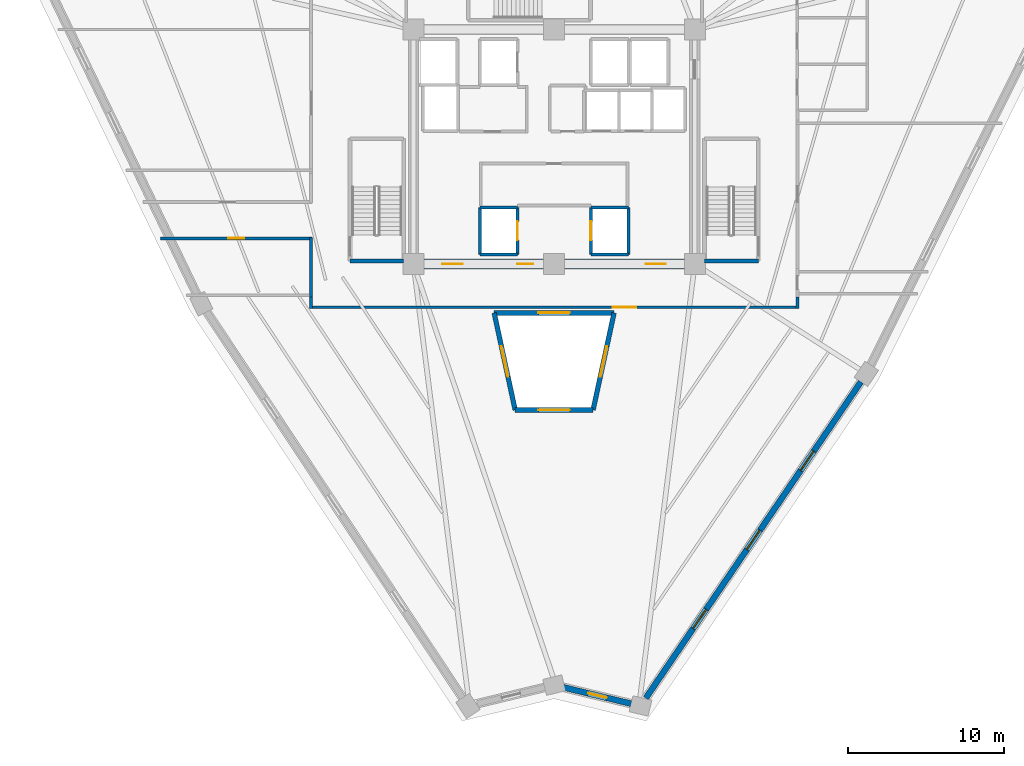
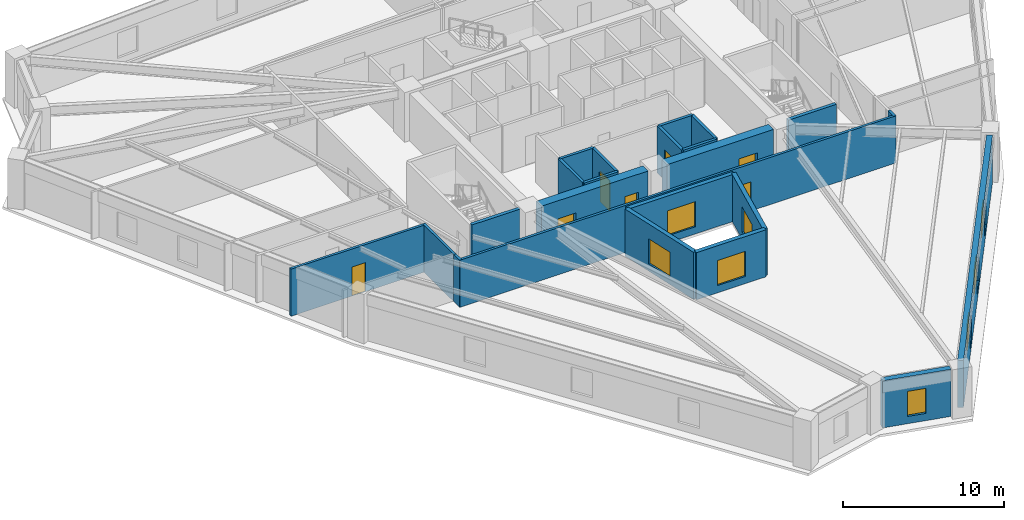
# One storey, part 3 of 8: 23 walls, 8 windows, 7 doors, 15 openings.
"""IFC4 building model written with IfcOpenShell, lengths in metres."""

from ifc_helpers import new_model, si_unit, direction, frame, frame_2d, origin, place, context, subcontext, project, spatial, rectangle, extrude, source, transform, mapped, material, layer, layer_set, type_object, element, fill, save


model = new_model("IFC4")

# Units and contexts
model_context = context("Model", 3, precision=1e-05, world=origin(), true_north=direction((0.0, 1.0)))
body_context = subcontext(model_context, "Body", "Model", "MODEL_VIEW")
ifc_project = project(units=[si_unit("LENGTHUNIT", "METRE"), si_unit("AREAUNIT", "SQUARE_METRE"), si_unit("VOLUMEUNIT", "CUBIC_METRE"), si_unit("PLANEANGLEUNIT", "RADIAN"), si_unit("MASSUNIT", "GRAM", prefix="KILO")], contexts=[model_context])

# Site, building, storey
site_placement = place(None, origin())
site = spatial("IfcSite", under=ifc_project, at=site_placement, CompositionType="ELEMENT")
building_placement = place(site_placement, origin())
building = spatial("IfcBuilding", under=site, at=building_placement, Name="Liaohun Quay Tower", CompositionType="ELEMENT")
storey_placement = place(building_placement, frame((0.0, 0.0, 209.25)))
storey = spatial("IfcBuildingStorey", under=building, at=storey_placement, Name="L54", CompositionType="ELEMENT", Elevation=209.25)

# Wall, opening, window
ifc_material_1 = material(Name="Concrete C50", Category="concrete")
ifc_layer_1 = layer(ifc_material_1, 0.300048828125, Name="Concrete C50", Category="concrete")
ifc_layer_set_1 = layer_set([ifc_layer_1], Name="Concrete C50")
wall_type_1 = type_object("IfcWallType", Name="WAL-ATR-300", PredefinedType="SOLIDWALL", material=ifc_layer_set_1)
wall_1_placement = place(storey_placement, frame((57.507080078125, 37.162109375, 0.0), z_axis=(0.0, 0.0, 1.0), x_axis=(-0.211444938644, 0.977389910896, 0.0)))
wall_1 = element("IfcWall", 1, at=wall_1_placement, inside=storey, type_object=wall_type_1, Name="L54 Atrium Fire Compartment Wall 1", PredefinedType="SOLIDWALL", context=body_context, shape_type="SweptSolid", body=[
    extrude(rectangle(XDim=6.3515625, YDim=0.300048828125, at=frame_2d((3.17578125, 0.0))), origin(), (0.0, 0.0, 1.0), 3.570068359375),
])
shared_shape_1 = source(origin(), body_context, "Body", "SweptSolid", [
    extrude(rectangle(XDim=2.0, YDim=1.89990234375, at=frame_2d((1.0, 0.949951171875))), frame((0.0, 0.159912109375, 0.0), z_axis=(0.0, -1.0, 0.0), x_axis=(1.0, 0.0, 0.0)), (0.0, 0.0, 1.0), 0.320068359375),
])
opening_1_placement = place(wall_1_placement, frame((2.176025390625, 0.0, 0.550048828125)))
opening_1 = element("IfcOpeningElement", 2, at=opening_1_placement, cuts=wall_1, Name="Opening W07", PredefinedType="OPENING", context=body_context, shape_type="MappedRepresentation", body=[
    mapped(shared_shape_1, transform((0.0, 0.0, 0.0), x_axis=(1.0, 0.0, 0.0), y_axis=(0.0, 1.0, 0.0), z_axis=(0.0, 0.0, 1.0), scale=1.0)),
])
ifc_material_2 = material(Name="Class A 180-min fire-resistant insulated glazing", Category="glass")
window_type_1 = type_object("IfcWindowType", Name="WIN-ATR-FIR", PartitioningType="DOUBLE_PANEL_VERTICAL", PredefinedType="WINDOW", material=ifc_material_2)
shared_shape_2 = source(origin(), body_context, "Body", "SweptSolid", [
    extrude(rectangle(XDim=2.0, YDim=1.89990234375, at=frame_2d((1.0, 0.949951171875))), frame((0.0, 0.030029296875, 0.0), z_axis=(0.0, -1.0, 0.0), x_axis=(1.0, 0.0, 0.0)), (0.0, 0.0, 1.0), 0.06005859375),
])
window_1_placement = place(opening_1_placement, origin())
window_1 = element("IfcWindow", 3, at=window_1_placement, inside=storey, type_object=window_type_1, Name="L54 Atrium Fire-Resistant Glazing W07-1", OverallHeight=1.89990234375, OverallWidth=2.0, PartitioningType="DOUBLE_PANEL_VERTICAL", PredefinedType="WINDOW", context=body_context, shape_type="MappedRepresentation", body=[
    mapped(shared_shape_2, transform((0.0, 0.0, 0.0), x_axis=(1.0, 0.0, 0.0), y_axis=(0.0, 1.0, 0.0), z_axis=(0.0, 0.0, 1.0), scale=1.0)),
])
fill(opening_1, window_1)

wall_2_placement = place(storey_placement, frame((56.1640625, 43.3701171875, 0.0), z_axis=(0.0, 0.0, 1.0), x_axis=(1.0, 0.0, 0.0)))
wall_2 = element("IfcWall", 4, at=wall_2_placement, inside=storey, type_object=wall_type_1, Name="L54 Atrium Fire Compartment Wall 2", PredefinedType="SOLIDWALL", context=body_context, shape_type="SweptSolid", body=[
    extrude(rectangle(XDim=7.671875, YDim=0.300048828125, at=frame_2d((3.8359375, 0.0))), origin(), (0.0, 0.0, 1.0), 3.570068359375),
])
opening_2_placement = place(wall_2_placement, frame((2.8359375, 0.0, 0.550048828125)))
opening_2 = element("IfcOpeningElement", 5, at=opening_2_placement, cuts=wall_2, Name="Opening W07", PredefinedType="OPENING", context=body_context, shape_type="MappedRepresentation", body=[
    mapped(shared_shape_1, transform((0.0, 0.0, 0.0), x_axis=(1.0, 0.0, 0.0), y_axis=(0.0, 1.0, 0.0), z_axis=(0.0, 0.0, 1.0), scale=1.0)),
])
window_2_placement = place(opening_2_placement, origin())
window_2 = element("IfcWindow", 6, at=window_2_placement, inside=storey, type_object=window_type_1, Name="L54 Atrium Fire-Resistant Glazing W07-2", OverallHeight=1.89990234375, OverallWidth=2.0, PartitioningType="DOUBLE_PANEL_VERTICAL", PredefinedType="WINDOW", context=body_context, shape_type="MappedRepresentation", body=[
    mapped(shared_shape_2, transform((0.0, 0.0, 0.0), x_axis=(1.0, 0.0, 0.0), y_axis=(0.0, 1.0, 0.0), z_axis=(0.0, 0.0, 1.0), scale=1.0)),
])
fill(opening_2, window_2)

wall_3_placement = place(storey_placement, frame((63.8359375, 43.3701171875, 0.0), z_axis=(0.0, 0.0, 1.0), x_axis=(-0.211444938644, -0.977389910896, 0.0)))
wall_3 = element("IfcWall", 7, at=wall_3_placement, inside=storey, type_object=wall_type_1, Name="L54 Atrium Fire Compartment Wall 3", PredefinedType="SOLIDWALL", context=body_context, shape_type="SweptSolid", body=[
    extrude(rectangle(XDim=6.3515625, YDim=0.300048828125, at=frame_2d((3.17578125, 0.0))), origin(), (0.0, 0.0, 1.0), 3.570068359375),
])
opening_3_placement = place(wall_3_placement, frame((2.176025390625, 0.0, 0.550048828125)))
opening_3 = element("IfcOpeningElement", 8, at=opening_3_placement, cuts=wall_3, Name="Opening W07", PredefinedType="OPENING", context=body_context, shape_type="MappedRepresentation", body=[
    mapped(shared_shape_1, transform((0.0, 0.0, 0.0), x_axis=(1.0, 0.0, 0.0), y_axis=(0.0, 1.0, 0.0), z_axis=(0.0, 0.0, 1.0), scale=1.0)),
])
window_3_placement = place(opening_3_placement, origin())
window_3 = element("IfcWindow", 9, at=window_3_placement, inside=storey, type_object=window_type_1, Name="L54 Atrium Fire-Resistant Glazing W07-3", OverallHeight=1.89990234375, OverallWidth=2.0, PartitioningType="DOUBLE_PANEL_VERTICAL", PredefinedType="WINDOW", context=body_context, shape_type="MappedRepresentation", body=[
    mapped(shared_shape_2, transform((0.0, 0.0, 0.0), x_axis=(1.0, 0.0, 0.0), y_axis=(0.0, 1.0, 0.0), z_axis=(0.0, 0.0, 1.0), scale=1.0)),
])
fill(opening_3, window_3)

wall_4_placement = place(storey_placement, frame((62.492919921875, 37.162109375, 0.0), z_axis=(0.0, 0.0, 1.0), x_axis=(-1.0, 0.0, 0.0)))
wall_4 = element("IfcWall", 10, at=wall_4_placement, inside=storey, type_object=wall_type_1, Name="L54 Atrium Fire Compartment Wall 4", PredefinedType="SOLIDWALL", context=body_context, shape_type="SweptSolid", body=[
    extrude(rectangle(XDim=4.98583984375, YDim=0.300048828125, at=frame_2d((2.492919921875, 0.0))), origin(), (0.0, 0.0, 1.0), 3.570068359375),
])
opening_4_placement = place(wall_4_placement, frame((1.492919921875, 0.0, 0.550048828125)))
opening_4 = element("IfcOpeningElement", 11, at=opening_4_placement, cuts=wall_4, Name="Opening W07", PredefinedType="OPENING", context=body_context, shape_type="MappedRepresentation", body=[
    mapped(shared_shape_1, transform((0.0, 0.0, 0.0), x_axis=(1.0, 0.0, 0.0), y_axis=(0.0, 1.0, 0.0), z_axis=(0.0, 0.0, 1.0), scale=1.0)),
])
window_4_placement = place(opening_4_placement, origin())
window_4 = element("IfcWindow", 12, at=window_4_placement, inside=storey, type_object=window_type_1, Name="L54 Atrium Fire-Resistant Glazing W07-4", OverallHeight=1.89990234375, OverallWidth=2.0, PartitioningType="DOUBLE_PANEL_VERTICAL", PredefinedType="WINDOW", context=body_context, shape_type="MappedRepresentation", body=[
    mapped(shared_shape_2, transform((0.0, 0.0, 0.0), x_axis=(1.0, 0.0, 0.0), y_axis=(0.0, 1.0, 0.0), z_axis=(0.0, 0.0, 1.0), scale=1.0)),
])
fill(opening_4, window_4)

# Wall, opening, door
ifc_material_3 = material(Name="Concrete C55", Category="concrete")
ifc_layer_2 = layer(ifc_material_3, 0.64990234375, Name="Concrete C55", Category="concrete")
ifc_layer_set_2 = layer_set([ifc_layer_2], Name="Concrete C55")
wall_type_2 = type_object("IfcWallType", Name="WAL-COR-Z3", PredefinedType="SHEAR", material=ifc_layer_set_2)
wall_5_placement = place(storey_placement, frame((68.324951171875, 46.5, 0.0), z_axis=(0.0, 0.0, 1.0), x_axis=(-1.0, 0.0, 0.0)))
wall_5 = element("IfcWall", 13, at=wall_5_placement, inside=storey, type_object=wall_type_2, Name="L54 Central Core Shear Wall S-E", PredefinedType="SHEAR", context=body_context, shape_type="SweptSolid", body=[
    extrude(rectangle(XDim=7.64990234375, YDim=0.64990234375, at=frame_2d((3.824951171875, 0.0))), origin(), (0.0, 0.0, 1.0), 3.570068359375),
])
shared_shape_3 = source(origin(), body_context, "Body", "SweptSolid", [
    extrude(rectangle(XDim=1.300048828125, YDim=2.199951171875, at=frame_2d((0.64990234375, 1.10009765625))), frame((0.0, 0.3349609375, 0.0), z_axis=(0.0, -1.0, 0.0), x_axis=(1.0, 0.0, 0.0)), (0.0, 0.0, 1.0), 0.669921875),
])
opening_5_placement = place(wall_5_placement, frame((1.175048828125, 0.0, 0.0)))
opening_5 = element("IfcOpeningElement", 14, at=opening_5_placement, cuts=wall_5, Name="Opening FD1", PredefinedType="OPENING", context=body_context, shape_type="MappedRepresentation", body=[
    mapped(shared_shape_3, transform((0.0, 0.0, 0.0), x_axis=(1.0, 0.0, 0.0), y_axis=(0.0, 1.0, 0.0), z_axis=(0.0, 0.0, 1.0), scale=1.0)),
])
ifc_material_4 = material(Name="Galvanised steel smokeproof fire door", Category="steel")
door_type_1 = type_object("IfcDoorType", Name="DOR-FFL-1300", OperationType="NOTDEFINED", PredefinedType="DOOR", material=ifc_material_4)
shared_shape_4 = source(origin(), body_context, "Body", "SweptSolid", [
    extrude(rectangle(XDim=1.300048828125, YDim=2.199951171875, at=frame_2d((0.64990234375, 1.10009765625))), frame((0.0, 0.02490234375, 0.0), z_axis=(0.0, -1.0, 0.0), x_axis=(1.0, 0.0, 0.0)), (0.0, 0.0, 1.0), 0.050048828125),
])
door_1_placement = place(opening_5_placement, origin())
door_1 = element("IfcDoor", 15, at=door_1_placement, inside=storey, type_object=door_type_1, Name="L54 East Core Lift Lobby Smokeproof Door", OperationType="SINGLE_SWING_LEFT", OverallHeight=2.199951171875, OverallWidth=1.300048828125, PredefinedType="DOOR", context=body_context, shape_type="MappedRepresentation", body=[
    mapped(shared_shape_4, transform((0.0, 0.0, 0.0), x_axis=(1.0, 0.0, 0.0), y_axis=(0.0, 1.0, 0.0), z_axis=(0.0, 0.0, 1.0), scale=1.0)),
])
fill(opening_5, door_1)

# Wall, openings, doors
wall_6_placement = place(storey_placement, frame((59.324951171875, 46.5, 0.0), z_axis=(0.0, 0.0, 1.0), x_axis=(-1.0, 0.0, 0.0)))
wall_6 = element("IfcWall", 16, at=wall_6_placement, inside=storey, type_object=wall_type_2, Name="L54 Central Core Shear Wall S-W", PredefinedType="SHEAR", context=body_context, shape_type="SweptSolid", body=[
    extrude(rectangle(XDim=7.64990234375, YDim=0.64990234375, at=frame_2d((3.824951171875, 0.0))), origin(), (0.0, 0.0, 1.0), 3.570068359375),
])
opening_6_placement = place(wall_6_placement, frame((5.175048828125, 0.0, 0.0)))
opening_6 = element("IfcOpeningElement", 17, at=opening_6_placement, cuts=wall_6, Name="Opening FD1", PredefinedType="OPENING", context=body_context, shape_type="MappedRepresentation", body=[
    mapped(shared_shape_3, transform((0.0, 0.0, 0.0), x_axis=(1.0, 0.0, 0.0), y_axis=(0.0, 1.0, 0.0), z_axis=(0.0, 0.0, 1.0), scale=1.0)),
])
shared_shape_5 = source(origin(), body_context, "Body", "SweptSolid", [
    extrude(rectangle(XDim=1.0, YDim=2.199951171875, at=frame_2d((0.5, 1.10009765625))), frame((0.0, 0.3349609375, 0.0), z_axis=(0.0, -1.0, 0.0), x_axis=(1.0, 0.0, 0.0)), (0.0, 0.0, 1.0), 0.669921875),
])
opening_7_placement = place(wall_6_placement, frame((0.675048828125, 0.0, 0.0)))
opening_7 = element("IfcOpeningElement", 18, at=opening_7_placement, cuts=wall_6, Name="Opening FD2", PredefinedType="OPENING", context=body_context, shape_type="MappedRepresentation", body=[
    mapped(shared_shape_5, transform((0.0, 0.0, 0.0), x_axis=(1.0, 0.0, 0.0), y_axis=(0.0, 1.0, 0.0), z_axis=(0.0, 0.0, 1.0), scale=1.0)),
])
door_2_placement = place(opening_6_placement, origin())
door_2 = element("IfcDoor", 19, at=door_2_placement, inside=storey, type_object=door_type_1, Name="L54 West Core Lift Lobby Smokeproof Door", OperationType="SINGLE_SWING_RIGHT", OverallHeight=2.199951171875, OverallWidth=1.300048828125, PredefinedType="DOOR", context=body_context, shape_type="MappedRepresentation", body=[
    mapped(shared_shape_4, transform((0.0, 0.0, 0.0), x_axis=(1.0, 0.0, 0.0), y_axis=(0.0, 1.0, 0.0), z_axis=(0.0, 0.0, 1.0), scale=1.0)),
])
fill(opening_6, door_2)
ifc_material_5 = material(Name="Galvanised steel smokeproof lobby fire door", Category="steel")
door_type_2 = type_object("IfcDoorType", Name="DOR-FFL-1000", OperationType="NOTDEFINED", PredefinedType="DOOR", material=ifc_material_5)
shared_shape_6 = source(origin(), body_context, "Body", "SweptSolid", [
    extrude(rectangle(XDim=1.0, YDim=2.199951171875, at=frame_2d((0.5, 1.10009765625))), frame((0.0, 0.02490234375, 0.0), z_axis=(0.0, -1.0, 0.0), x_axis=(1.0, 0.0, 0.0)), (0.0, 0.0, 1.0), 0.050048828125),
])
door_3_placement = place(opening_7_placement, origin())
door_3 = element("IfcDoor", 20, at=door_3_placement, inside=storey, type_object=door_type_2, Name="L54 South Firefighting Lobby Smokeproof Door", OperationType="SINGLE_SWING_LEFT", OverallHeight=2.199951171875, OverallWidth=1.0, PredefinedType="DOOR", context=body_context, shape_type="MappedRepresentation", body=[
    mapped(shared_shape_6, transform((0.0, 0.0, 0.0), x_axis=(1.0, 0.0, 0.0), y_axis=(0.0, 1.0, 0.0), z_axis=(0.0, 0.0, 1.0), scale=1.0)),
])
fill(opening_7, door_3)

# Wall, opening, window
ifc_material_6 = material(Name="Precast concrete C50 insulated sandwich", Category="concrete")
ifc_layer_3 = layer(ifc_material_6, 0.3798828125, Name="Precast concrete C50 insulated sandwich", Category="concrete")
ifc_layer_set_3 = layer_set([ifc_layer_3], Name="Precast concrete C50 insulated sandwich")
wall_type_3 = type_object("IfcWallType", Name="WAL-EXT-Z34", PredefinedType="SOLIDWALL", material=ifc_layer_set_3)
wall_7_placement = place(storey_placement, frame((60.597900390625, 19.41796875, 0.0), z_axis=(0.0, 0.0, 1.0), x_axis=(0.97200969757, -0.234940732588, 0.0)))
wall_7 = element("IfcWall", 21, at=wall_7_placement, inside=storey, type_object=wall_type_3, Name="L54 Brutalist Precast Pier Wall 01", PredefinedType="SOLIDWALL", context=body_context, shape_type="SweptSolid", body=[
    extrude(rectangle(XDim=4.45166015625, YDim=0.3798828125, at=frame_2d((2.225830078125, 0.0))), origin(), (0.0, 0.0, 1.0), 3.570068359375),
])
shared_shape_7 = source(origin(), body_context, "Body", "SweptSolid", [
    extrude(rectangle(XDim=1.199951171875, YDim=1.89990234375, at=frame_2d((0.60009765625, 0.949951171875))), frame((0.0, 0.199951171875, 0.0), z_axis=(0.0, -1.0, 0.0), x_axis=(1.0, 0.0, 0.0)), (0.0, 0.0, 1.0), 0.39990234375),
])
opening_8_placement = place(wall_7_placement, frame((1.6259765625, 0.0, 0.550048828125)))
opening_8 = element("IfcOpeningElement", 22, at=opening_8_placement, cuts=wall_7, Name="Opening W05", PredefinedType="OPENING", context=body_context, shape_type="MappedRepresentation", body=[
    mapped(shared_shape_7, transform((0.0, 0.0, 0.0), x_axis=(1.0, 0.0, 0.0), y_axis=(0.0, 1.0, 0.0), z_axis=(0.0, 0.0, 1.0), scale=1.0)),
])
ifc_material_7 = material(Name="Triple Low-E corner notch glazing", Category="glass")
window_type_2 = type_object("IfcWindowType", Name="WIN-NOTCH", PartitioningType="SINGLE_PANEL", PredefinedType="WINDOW", material=ifc_material_7)
shared_shape_8 = source(origin(), body_context, "Body", "SweptSolid", [
    extrude(rectangle(XDim=1.199951171875, YDim=1.89990234375, at=frame_2d((0.60009765625, 0.949951171875))), frame((0.0, 0.030029296875, 0.0), z_axis=(0.0, -1.0, 0.0), x_axis=(1.0, 0.0, 0.0)), (0.0, 0.0, 1.0), 0.06005859375),
])
window_5_placement = place(opening_8_placement, origin())
window_5 = element("IfcWindow", 23, at=window_5_placement, inside=storey, type_object=window_type_2, Name="L54 Corner Notch Window W05-01", OverallHeight=1.89990234375, OverallWidth=1.199951171875, PartitioningType="SINGLE_PANEL", PredefinedType="WINDOW", context=body_context, shape_type="MappedRepresentation", body=[
    mapped(shared_shape_8, transform((0.0, 0.0, 0.0), x_axis=(1.0, 0.0, 0.0), y_axis=(0.0, 1.0, 0.0), z_axis=(0.0, 0.0, 1.0), scale=1.0)),
])
fill(opening_8, window_5)

# Wall, openings, windows
wall_8_placement = place(storey_placement, frame((65.868896484375, 18.736083984375, 0.0), z_axis=(0.0, 0.0, 1.0), x_axis=(0.562429840658, 0.826845012283, 0.0)))
wall_8 = element("IfcWall", 24, at=wall_8_placement, inside=storey, type_object=wall_type_3, Name="L54 Brutalist Precast Pier Wall 02", PredefinedType="SOLIDWALL", context=body_context, shape_type="SweptSolid", body=[
    extrude(rectangle(XDim=24.46533203125, YDim=0.3798828125, at=frame_2d((12.232666015625, 0.0))), origin(), (0.0, 0.0, 1.0), 3.570068359375),
])
shared_shape_9 = source(origin(), body_context, "Body", "SweptSolid", [
    extrude(rectangle(XDim=1.5, YDim=1.89990234375, at=frame_2d((0.75, 0.949951171875))), frame((0.0, 0.199951171875, 0.0), z_axis=(0.0, -1.0, 0.0), x_axis=(1.0, 0.0, 0.0)), (0.0, 0.0, 1.0), 0.39990234375),
])
opening_9_placement = place(wall_8_placement, frame((5.365966796875, 0.0, 0.550048828125)))
opening_9 = element("IfcOpeningElement", 25, at=opening_9_placement, cuts=wall_8, Name="Opening W03", PredefinedType="OPENING", context=body_context, shape_type="MappedRepresentation", body=[
    mapped(shared_shape_9, transform((0.0, 0.0, 0.0), x_axis=(1.0, 0.0, 0.0), y_axis=(0.0, 1.0, 0.0), z_axis=(0.0, 0.0, 1.0), scale=1.0)),
])
opening_10_placement = place(wall_8_placement, frame((11.48291015625, 0.0, 0.550048828125)))
opening_10 = element("IfcOpeningElement", 26, at=opening_10_placement, cuts=wall_8, Name="Opening W03", PredefinedType="OPENING", context=body_context, shape_type="MappedRepresentation", body=[
    mapped(shared_shape_9, transform((0.0, 0.0, 0.0), x_axis=(1.0, 0.0, 0.0), y_axis=(0.0, 1.0, 0.0), z_axis=(0.0, 0.0, 1.0), scale=1.0)),
])
opening_11_placement = place(wall_8_placement, frame((17.59912109375, 0.0, 0.550048828125)))
opening_11 = element("IfcOpeningElement", 27, at=opening_11_placement, cuts=wall_8, Name="Opening W03", PredefinedType="OPENING", context=body_context, shape_type="MappedRepresentation", body=[
    mapped(shared_shape_9, transform((0.0, 0.0, 0.0), x_axis=(1.0, 0.0, 0.0), y_axis=(0.0, 1.0, 0.0), z_axis=(0.0, 0.0, 1.0), scale=1.0)),
])
ifc_material_8 = material(Name="Triple Low-E argon glazing in thermally broken aluminium", Category="aluminium")
window_type_3 = type_object("IfcWindowType", Name="WIN-PUN-Z3", PartitioningType="DOUBLE_PANEL_VERTICAL", PredefinedType="WINDOW", material=ifc_material_8)
shared_shape_10 = source(origin(), body_context, "Body", "SweptSolid", [
    extrude(rectangle(XDim=1.5, YDim=1.89990234375, at=frame_2d((0.75, 0.949951171875))), frame((0.0, 0.030029296875, 0.0), z_axis=(0.0, -1.0, 0.0), x_axis=(1.0, 0.0, 0.0)), (0.0, 0.0, 1.0), 0.06005859375),
])
window_6_placement = place(opening_9_placement, origin())
window_6 = element("IfcWindow", 28, at=window_6_placement, inside=storey, type_object=window_type_3, Name="L54 Recessed Cold-Climate Punched Window 02-1", OverallHeight=1.89990234375, OverallWidth=1.5, PartitioningType="DOUBLE_PANEL_VERTICAL", PredefinedType="WINDOW", context=body_context, shape_type="MappedRepresentation", body=[
    mapped(shared_shape_10, transform((0.0, 0.0, 0.0), x_axis=(1.0, 0.0, 0.0), y_axis=(0.0, 1.0, 0.0), z_axis=(0.0, 0.0, 1.0), scale=1.0)),
])
fill(opening_9, window_6)
window_7_placement = place(opening_10_placement, origin())
window_7 = element("IfcWindow", 29, at=window_7_placement, inside=storey, type_object=window_type_3, Name="L54 Recessed Cold-Climate Punched Window 02-2", OverallHeight=1.89990234375, OverallWidth=1.5, PartitioningType="DOUBLE_PANEL_VERTICAL", PredefinedType="WINDOW", context=body_context, shape_type="MappedRepresentation", body=[
    mapped(shared_shape_10, transform((0.0, 0.0, 0.0), x_axis=(1.0, 0.0, 0.0), y_axis=(0.0, 1.0, 0.0), z_axis=(0.0, 0.0, 1.0), scale=1.0)),
])
fill(opening_10, window_7)
window_8_placement = place(opening_11_placement, origin())
window_8 = element("IfcWindow", 30, at=window_8_placement, inside=storey, type_object=window_type_3, Name="L54 Recessed Cold-Climate Punched Window 02-3", OverallHeight=1.89990234375, OverallWidth=1.5, PartitioningType="DOUBLE_PANEL_VERTICAL", PredefinedType="WINDOW", context=body_context, shape_type="MappedRepresentation", body=[
    mapped(shared_shape_10, transform((0.0, 0.0, 0.0), x_axis=(1.0, 0.0, 0.0), y_axis=(0.0, 1.0, 0.0), z_axis=(0.0, 0.0, 1.0), scale=1.0)),
])
fill(opening_11, window_8)

# Wall, opening, door
ifc_material_9 = material(Name="Autoclaved aerated concrete blockwork", Category="masonry")
ifc_layer_4 = layer(ifc_material_9, 0.179931640625, Name="Autoclaved aerated concrete blockwork", Category="masonry")
ifc_layer_set_4 = layer_set([ifc_layer_4], Name="Autoclaved aerated concrete blockwork")
wall_type_4 = type_object("IfcWallType", Name="WAL-PRT-COR", PredefinedType="PARTITIONING", material=ifc_layer_set_4)
wall_9_placement = place(storey_placement, frame((44.510009765625, 48.139892578125, 0.0), z_axis=(0.0, 0.0, 1.0), x_axis=(-1.0, 0.0, 0.0)))
wall_9 = element("IfcWall", 31, at=wall_9_placement, inside=storey, type_object=wall_type_4, Name="L54 Interior Partition Wall 019", PredefinedType="PARTITIONING", context=body_context, shape_type="SweptSolid", body=[
    extrude(rectangle(XDim=9.68603515625, YDim=0.179931640625, at=frame_2d((4.843017578125, 0.0))), origin(), (0.0, 0.0, 1.0), 3.570068359375),
])
shared_shape_11 = source(origin(), body_context, "Body", "SweptSolid", [
    extrude(rectangle(XDim=1.0, YDim=2.199951171875, at=frame_2d((0.5, 1.10009765625))), frame((0.0, 0.099853515625, 0.0), z_axis=(0.0, -1.0, 0.0), x_axis=(1.0, 0.0, 0.0)), (0.0, 0.0, 1.0), 0.199951171875),
])
opening_12_placement = place(wall_9_placement, frame((4.343017578125, 0.0, 0.0)))
opening_12 = element("IfcOpeningElement", 32, at=opening_12_placement, cuts=wall_9, Name="Opening OD1", PredefinedType="OPENING", context=body_context, shape_type="MappedRepresentation", body=[
    mapped(shared_shape_11, transform((0.0, 0.0, 0.0), x_axis=(1.0, 0.0, 0.0), y_axis=(0.0, 1.0, 0.0), z_axis=(0.0, 0.0, 1.0), scale=1.0)),
])
ifc_material_10 = material(Name="Solid-core oak veneer timber leaf in steel frame", Category="steel")
door_type_3 = type_object("IfcDoorType", Name="DOR-OFF-1000", OperationType="NOTDEFINED", PredefinedType="DOOR", material=ifc_material_10)
door_4_placement = place(opening_12_placement, origin())
door_4 = element("IfcDoor", 33, at=door_4_placement, inside=storey, type_object=door_type_3, Name="L54 Records Archive Store 09 Door", OperationType="SINGLE_SWING_RIGHT", OverallHeight=2.199951171875, OverallWidth=1.0, PredefinedType="DOOR", context=body_context, shape_type="MappedRepresentation", body=[
    mapped(shared_shape_6, transform((0.0, 0.0, 0.0), x_axis=(1.0, 0.0, 0.0), y_axis=(0.0, 1.0, 0.0), z_axis=(0.0, 0.0, 1.0), scale=1.0)),
])
fill(opening_12, door_4)

wall_10_placement = place(storey_placement, frame((75.6298828125, 43.739990234375, 0.0), z_axis=(0.0, 0.0, 1.0), x_axis=(-1.0, 0.0, 0.0)))
wall_10 = element("IfcWall", 34, at=wall_10_placement, inside=storey, type_object=wall_type_4, Name="L54 Interior Partition Wall 020", PredefinedType="PARTITIONING", context=body_context, shape_type="SweptSolid", body=[
    extrude(rectangle(XDim=31.259765625, YDim=0.179931640625, at=frame_2d((15.6298828125, 0.0))), origin(), (0.0, 0.0, 1.0), 3.570068359375),
])
shared_shape_12 = source(origin(), body_context, "Body", "SweptSolid", [
    extrude(rectangle(XDim=1.5, YDim=2.199951171875, at=frame_2d((0.75, 1.10009765625))), frame((0.0, 0.099853515625, 0.0), z_axis=(0.0, -1.0, 0.0), x_axis=(1.0, 0.0, 0.0)), (0.0, 0.0, 1.0), 0.199951171875),
])
opening_13_placement = place(wall_10_placement, frame((10.3798828125, 0.0, 0.0)))
opening_13 = element("IfcOpeningElement", 35, at=opening_13_placement, cuts=wall_10, Name="Opening OD2", PredefinedType="OPENING", context=body_context, shape_type="MappedRepresentation", body=[
    mapped(shared_shape_12, transform((0.0, 0.0, 0.0), x_axis=(1.0, 0.0, 0.0), y_axis=(0.0, 1.0, 0.0), z_axis=(0.0, 0.0, 1.0), scale=1.0)),
])
ifc_material_11 = material(Name="Acoustic oak veneer double door")
door_type_4 = type_object("IfcDoorType", Name="DOR-OFF-1500", OperationType="DOUBLE_DOOR_SINGLE_SWING", PredefinedType="DOOR", material=ifc_material_11)
shared_shape_13 = source(origin(), body_context, "Body", "SweptSolid", [
    extrude(rectangle(XDim=1.5, YDim=2.199951171875, at=frame_2d((0.75, 1.10009765625))), frame((0.0, 0.02490234375, 0.0), z_axis=(0.0, -1.0, 0.0), x_axis=(1.0, 0.0, 0.0)), (0.0, 0.0, 1.0), 0.050048828125),
])
door_5_placement = place(opening_13_placement, origin())
door_5 = element("IfcDoor", 36, at=door_5_placement, inside=storey, type_object=door_type_4, Name="L54 Open-Plan Office Workplace 10 Door", OperationType="DOUBLE_DOOR_SINGLE_SWING", OverallHeight=2.199951171875, OverallWidth=1.5, PredefinedType="DOOR", context=body_context, shape_type="MappedRepresentation", body=[
    mapped(shared_shape_13, transform((0.0, 0.0, 0.0), x_axis=(1.0, 0.0, 0.0), y_axis=(0.0, 1.0, 0.0), z_axis=(0.0, 0.0, 1.0), scale=1.0)),
])
fill(opening_13, door_5)

# Walls
wall_11_placement = place(storey_placement, frame((44.43994140625, 44.385009765625, 0.0), z_axis=(0.0, 0.0, 1.0), x_axis=(0.0, 1.0, 0.0)))
element("IfcWall", 37, at=wall_11_placement, inside=storey, type_object=wall_type_4, Name="L54 Interior Partition Wall 039", PredefinedType="PARTITIONING", context=body_context, shape_type="SweptSolid", body=[
    extrude(rectangle(XDim=3.824951171875, YDim=0.179931640625, at=frame_2d((1.91259765625, 0.0))), origin(), (0.0, 0.0, 1.0), 3.570068359375),
])
for number, where, z_axis, x_axis, name in (
    (38, (75.56005859375, 44.385009765625, 0.0), (0.0, 0.0, 1.0), (0.0, -1.0, 0.0), "L54 Interior Partition Wall 040"),
    (39, (44.43994140625, 43.669921875, 0.0), (0.0, 0.0, 1.0), (0.0, 1.0, 0.0), "L54 Interior Partition Wall 041"),
):
    element("IfcWall", number, at=place(storey_placement, frame(where, z_axis=z_axis, x_axis=x_axis)), inside=storey, type_object=wall_type_4, Name=name, PredefinedType="PARTITIONING", context=body_context, shape_type="SweptSolid", body=[
        extrude(rectangle(XDim=0.715087890625, YDim=0.179931640625, at=frame_2d((0.357421875, 0.0))), origin(), (0.0, 0.0, 1.0), 3.570068359375),
    ])
ifc_layer_5 = layer(ifc_material_1, 0.239990234375, Name="Concrete C50", Category="concrete")
ifc_layer_set_5 = layer_set([ifc_layer_5], Name="Concrete C50")
wall_type_5 = type_object("IfcWallType", Name="WAL-SHF-200", PredefinedType="SOLIDWALL", material=ifc_layer_set_5)
for number, where, z_axis, x_axis, name in (
    (40, (46.93994140625, 46.699951171875, 0.0), (0.0, 0.0, 1.0), (1.0, 0.0, 0.0), "L54 Stairwell ST-1 Structural Core Wall S"),
    (41, (69.6201171875, 46.699951171875, 0.0), (0.0, 0.0, 1.0), (1.0, 0.0, 0.0), "L54 Stairwell ST-2 Structural Core Wall S"),
):
    element("IfcWall", number, at=place(storey_placement, frame(where, z_axis=z_axis, x_axis=x_axis)), inside=storey, type_object=wall_type_5, Name=name, PredefinedType="SOLIDWALL", context=body_context, shape_type="SweptSolid", body=[
        extrude(rectangle(XDim=3.43994140625, YDim=0.239990234375, at=frame_2d((1.719970703125, 0.0))), origin(), (0.0, 0.0, 1.0), 3.570068359375),
    ])
wall_12_placement = place(storey_placement, frame((55.25, 47.1201171875, 0.0), z_axis=(0.0, 0.0, 1.0), x_axis=(1.0, 0.0, 0.0)))
element("IfcWall", 42, at=wall_12_placement, inside=storey, type_object=wall_type_5, Name="L54 Lift FF-01 Hoistway Wall S", PredefinedType="SOLIDWALL", context=body_context, shape_type="SweptSolid", body=[
    extrude(rectangle(XDim=2.39990234375, YDim=0.199951171875, at=frame_2d((1.199951171875, 0.0))), origin(), (0.0, 0.0, 1.0), 3.570068359375),
])

# Wall, opening, door
wall_13_placement = place(storey_placement, frame((57.64990234375, 47.1201171875, 0.0), z_axis=(0.0, 0.0, 1.0), x_axis=(0.0, 1.0, 0.0)))
wall_13 = element("IfcWall", 43, at=wall_13_placement, inside=storey, type_object=wall_type_5, Name="L54 Lift FF-01 Hoistway Wall E", PredefinedType="SOLIDWALL", context=body_context, shape_type="SweptSolid", body=[
    extrude(rectangle(XDim=3.0, YDim=0.199951171875, at=frame_2d((1.5, 0.0))), origin(), (0.0, 0.0, 1.0), 3.570068359375),
])
shared_shape_14 = source(origin(), body_context, "Body", "SweptSolid", [
    extrude(rectangle(XDim=1.199951171875, YDim=2.300048828125, at=frame_2d((0.60009765625, 1.14990234375))), frame((0.0, 0.10986328125, 0.0), z_axis=(0.0, -1.0, 0.0), x_axis=(1.0, 0.0, 0.0)), (0.0, 0.0, 1.0), 0.219970703125),
])
opening_14_placement = place(wall_13_placement, frame((0.89990234375, 0.0, 0.0)))
opening_14 = element("IfcOpeningElement", 44, at=opening_14_placement, cuts=wall_13, Name="Opening LD2", PredefinedType="OPENING", context=body_context, shape_type="MappedRepresentation", body=[
    mapped(shared_shape_14, transform((0.0, 0.0, 0.0), x_axis=(1.0, 0.0, 0.0), y_axis=(0.0, 1.0, 0.0), z_axis=(0.0, 0.0, 1.0), scale=1.0)),
])
ifc_material_12 = material(Name="Brushed stainless steel stretcher landing door", Category="steel")
door_type_5 = type_object("IfcDoorType", Name="DOR-LFT-1200", OperationType="SLIDING_TO_LEFT", PredefinedType="DOOR", material=ifc_material_12)
shared_shape_15 = source(origin(), body_context, "Body", "SweptSolid", [
    extrude(rectangle(XDim=1.199951171875, YDim=2.300048828125, at=frame_2d((0.60009765625, 1.14990234375))), frame((0.0, 0.02490234375, 0.0), z_axis=(0.0, -1.0, 0.0), x_axis=(1.0, 0.0, 0.0)), (0.0, 0.0, 1.0), 0.050048828125),
])
door_6_placement = place(opening_14_placement, origin())
door_6 = element("IfcDoor", 45, at=door_6_placement, inside=storey, type_object=door_type_5, Name="L54 Lift FF-01 Sliding Landing Door", OperationType="SLIDING_TO_LEFT", OverallHeight=2.300048828125, OverallWidth=1.199951171875, PredefinedType="DOOR", context=body_context, shape_type="MappedRepresentation", body=[
    mapped(shared_shape_15, transform((0.0, 0.0, 0.0), x_axis=(1.0, 0.0, 0.0), y_axis=(0.0, 1.0, 0.0), z_axis=(0.0, 0.0, 1.0), scale=1.0)),
])
fill(opening_14, door_6)

# Walls
wall_14_placement = place(storey_placement, frame((57.64990234375, 50.1201171875, 0.0), z_axis=(0.0, 0.0, 1.0), x_axis=(-1.0, 0.0, 0.0)))
element("IfcWall", 46, at=wall_14_placement, inside=storey, type_object=wall_type_5, Name="L54 Lift FF-01 Hoistway Wall N", PredefinedType="SOLIDWALL", context=body_context, shape_type="SweptSolid", body=[
    extrude(rectangle(XDim=2.39990234375, YDim=0.199951171875, at=frame_2d((1.199951171875, 0.0))), origin(), (0.0, 0.0, 1.0), 3.570068359375),
])
wall_15_placement = place(storey_placement, frame((55.25, 50.1201171875, 0.0), z_axis=(0.0, 0.0, 1.0), x_axis=(0.0, -1.0, 0.0)))
element("IfcWall", 47, at=wall_15_placement, inside=storey, type_object=wall_type_5, Name="L54 Lift FF-01 Hoistway Wall W", PredefinedType="SOLIDWALL", context=body_context, shape_type="SweptSolid", body=[
    extrude(rectangle(XDim=3.0, YDim=0.199951171875, at=frame_2d((1.5, 0.0))), origin(), (0.0, 0.0, 1.0), 3.570068359375),
])
wall_16_placement = place(storey_placement, frame((62.35009765625, 47.1201171875, 0.0), z_axis=(0.0, 0.0, 1.0), x_axis=(1.0, 0.0, 0.0)))
element("IfcWall", 48, at=wall_16_placement, inside=storey, type_object=wall_type_5, Name="L54 Lift FF-02 Hoistway Wall S", PredefinedType="SOLIDWALL", context=body_context, shape_type="SweptSolid", body=[
    extrude(rectangle(XDim=2.39990234375, YDim=0.199951171875, at=frame_2d((1.199951171875, 0.0))), origin(), (0.0, 0.0, 1.0), 3.570068359375),
])
wall_17_placement = place(storey_placement, frame((64.75, 47.1201171875, 0.0), z_axis=(0.0, 0.0, 1.0), x_axis=(0.0, 1.0, 0.0)))
element("IfcWall", 49, at=wall_17_placement, inside=storey, type_object=wall_type_5, Name="L54 Lift FF-02 Hoistway Wall E", PredefinedType="SOLIDWALL", context=body_context, shape_type="SweptSolid", body=[
    extrude(rectangle(XDim=3.0, YDim=0.199951171875, at=frame_2d((1.5, 0.0))), origin(), (0.0, 0.0, 1.0), 3.570068359375),
])
wall_18_placement = place(storey_placement, frame((64.75, 50.1201171875, 0.0), z_axis=(0.0, 0.0, 1.0), x_axis=(-1.0, 0.0, 0.0)))
element("IfcWall", 50, at=wall_18_placement, inside=storey, type_object=wall_type_5, Name="L54 Lift FF-02 Hoistway Wall N", PredefinedType="SOLIDWALL", context=body_context, shape_type="SweptSolid", body=[
    extrude(rectangle(XDim=2.39990234375, YDim=0.199951171875, at=frame_2d((1.199951171875, 0.0))), origin(), (0.0, 0.0, 1.0), 3.570068359375),
])

# Wall, opening, door
wall_19_placement = place(storey_placement, frame((62.35009765625, 50.1201171875, 0.0), z_axis=(0.0, 0.0, 1.0), x_axis=(0.0, -1.0, 0.0)))
wall_19 = element("IfcWall", 51, at=wall_19_placement, inside=storey, type_object=wall_type_5, Name="L54 Lift FF-02 Hoistway Wall W", PredefinedType="SOLIDWALL", context=body_context, shape_type="SweptSolid", body=[
    extrude(rectangle(XDim=3.0, YDim=0.199951171875, at=frame_2d((1.5, 0.0))), origin(), (0.0, 0.0, 1.0), 3.570068359375),
])
opening_15_placement = place(wall_19_placement, frame((0.89990234375, 0.0, 0.0)))
opening_15 = element("IfcOpeningElement", 52, at=opening_15_placement, cuts=wall_19, Name="Opening LD2", PredefinedType="OPENING", context=body_context, shape_type="MappedRepresentation", body=[
    mapped(shared_shape_14, transform((0.0, 0.0, 0.0), x_axis=(1.0, 0.0, 0.0), y_axis=(0.0, 1.0, 0.0), z_axis=(0.0, 0.0, 1.0), scale=1.0)),
])
door_7_placement = place(opening_15_placement, origin())
door_7 = element("IfcDoor", 53, at=door_7_placement, inside=storey, type_object=door_type_5, Name="L54 Lift FF-02 Sliding Landing Door", OperationType="SLIDING_TO_LEFT", OverallHeight=2.300048828125, OverallWidth=1.199951171875, PredefinedType="DOOR", context=body_context, shape_type="MappedRepresentation", body=[
    mapped(shared_shape_15, transform((0.0, 0.0, 0.0), x_axis=(1.0, 0.0, 0.0), y_axis=(0.0, 1.0, 0.0), z_axis=(0.0, 0.0, 1.0), scale=1.0)),
])
fill(opening_15, door_7)

save(model, "model.ifc")
